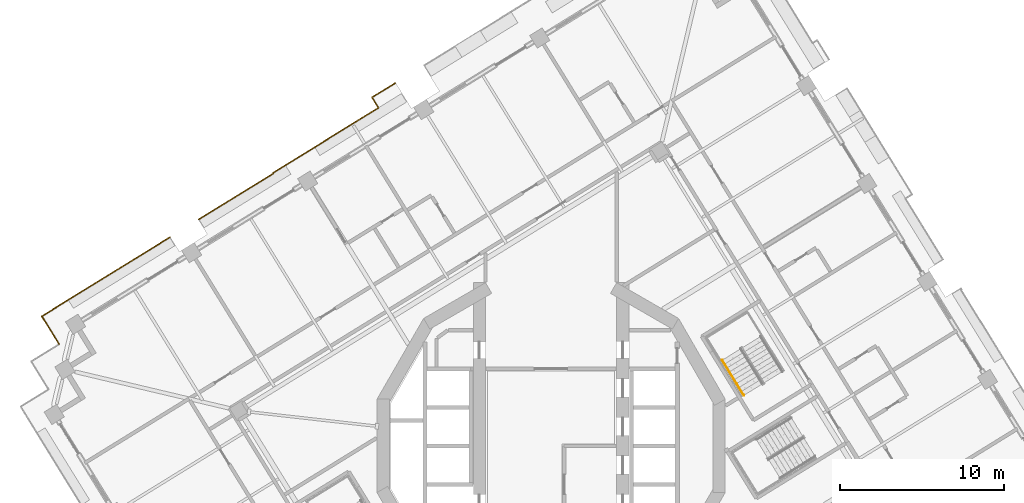
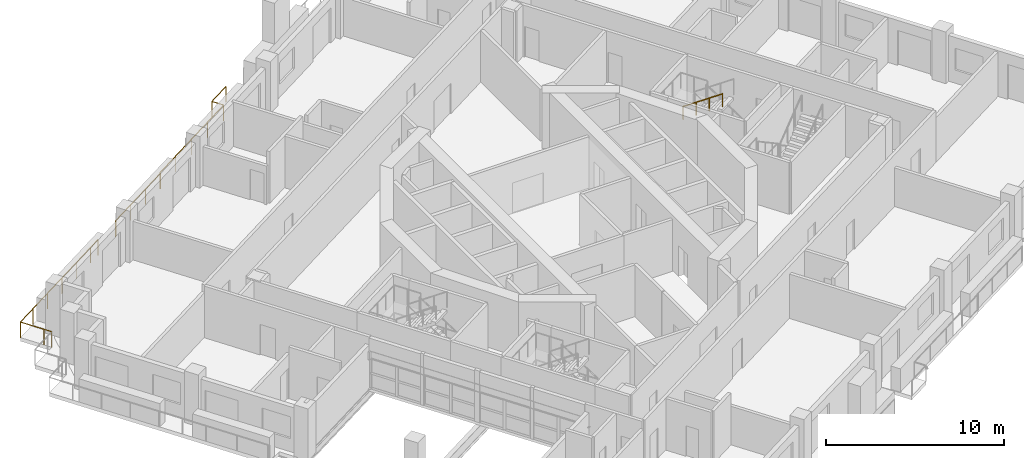
# One storey, part 19 of 22: 3 railings.
"""IFC4 building model written with IfcOpenShell, lengths in metres."""

from ifc_helpers import new_model, si_unit, direction, frame, origin, origin_2d, place, context, subcontext, project, spatial, circle, extrude, material, type_object, element, save


model = new_model("IFC4")

# Units and contexts
model_context = context("Model", 3, precision=1e-05, world=origin(), true_north=direction((0.0, 1.0)))
body_context = subcontext(model_context, "Body", "Model", "MODEL_VIEW")
ifc_project = project(units=[si_unit("LENGTHUNIT", "METRE"), si_unit("AREAUNIT", "SQUARE_METRE"), si_unit("VOLUMEUNIT", "CUBIC_METRE"), si_unit("PLANEANGLEUNIT", "RADIAN"), si_unit("MASSUNIT", "GRAM", prefix="KILO")], contexts=[model_context])

# Site, building, storey
site_placement = place(None, origin())
site = spatial("IfcSite", under=ifc_project, at=site_placement, CompositionType="ELEMENT")
building_placement = place(site_placement, origin())
building = spatial("IfcBuilding", under=site, at=building_placement, Name="Cantera Rosa Tower", CompositionType="ELEMENT")
storey_placement = place(building_placement, frame((0.0, 0.0, 166.60009765625)))
storey = spatial("IfcBuildingStorey", under=building, at=storey_placement, Name="L36", CompositionType="ELEMENT", Elevation=166.60009765625)

# Railings
ifc_material_1 = material(Name="Stainless steel and laminated glass", Category="steel")
railing_type_1 = type_object("IfcRailingType", Name="GUARD 1100", PredefinedType="BALUSTRADE", material=ifc_material_1)
railing_1_placement = place(storey_placement, frame((-30.03076171875, 6.208984375, 0.0)))
element("IfcRailing", 1, at=railing_1_placement, inside=storey, type_object=railing_type_1, Name="GUARD L36-3", PredefinedType="BALUSTRADE", context=body_context, shape_type="SweptSolid", body=[
    extrude(circle(Radius=0.030029296875, at=origin_2d()), frame((0.0, 0.0, 1.070068359375), z_axis=(-0.52494176933, 0.851138143202, 0.0), x_axis=(-0.851138143202, -0.52494176933, 0.0)), (0.0, 0.0, 1.0), 0.5),
    extrude(circle(Radius=0.030029296875, at=origin_2d()), frame((-0.262451171875, 0.425537109375, 1.070068359375), z_axis=(-0.524869051004, 0.85118298814, 0.0), x_axis=(-0.85118298814, -0.524869051004, 0.0)), (0.0, 0.0, 1.0), 1.5),
    extrude(circle(Radius=0.030029296875, at=origin_2d()), frame((-1.0498046875, 1.702392578125, 1.070068359375), z_axis=(0.851138143202, 0.52494176933, 0.0), x_axis=(-0.52494176933, 0.851138143202, 0.0)), (0.0, 0.0, 1.0), 1.5),
    extrude(circle(Radius=0.030029296875, at=origin_2d()), frame((0.226806640625, 2.48974609375, 1.070068359375), z_axis=(0.851120753703, 0.524969963537, 0.0), x_axis=(-0.524969963537, 0.851120753703, 0.0)), (0.0, 0.0, 1.0), 6.820068359375),
    extrude(circle(Radius=0.030029296875, at=origin_2d()), frame((6.031494140625, 6.070068359375, 1.070068359375), z_axis=(0.851089370259, 0.525020841331, 0.0), x_axis=(-0.525020841331, 0.851089370259, 0.0)), (0.0, 0.0, 1.0), 0.8701171875),
    extrude(circle(Radius=0.02490234375, at=origin_2d()), origin(), (0.0, 0.0, 1.0), 1.0400390625),
    extrude(circle(Radius=0.02490234375, at=origin_2d()), frame((-0.262451171875, 0.425537109375, 0.0)), (0.0, 0.0, 1.0), 1.0400390625),
    extrude(circle(Radius=0.02490234375, at=origin_2d()), frame((-1.0498046875, 1.702392578125, 0.0)), (0.0, 0.0, 1.0), 1.0400390625),
    extrude(circle(Radius=0.02490234375, at=origin_2d()), frame((0.226806640625, 2.48974609375, 0.0)), (0.0, 0.0, 1.0), 1.0400390625),
    extrude(circle(Radius=0.02490234375, at=origin_2d()), frame((1.677978515625, 3.384765625, 0.0)), (0.0, 0.0, 1.0), 1.0400390625),
    extrude(circle(Radius=0.02490234375, at=origin_2d()), frame((3.129150390625, 4.27978515625, 0.0)), (0.0, 0.0, 1.0), 1.0400390625),
    extrude(circle(Radius=0.02490234375, at=origin_2d()), frame((4.580322265625, 5.175048828125, 0.0)), (0.0, 0.0, 1.0), 1.0400390625),
    extrude(circle(Radius=0.02490234375, at=origin_2d()), frame((6.031494140625, 6.070068359375, 0.0)), (0.0, 0.0, 1.0), 1.0400390625),
    extrude(circle(Radius=0.02490234375, at=origin_2d()), frame((6.77197265625, 6.52685546875, 0.0)), (0.0, 0.0, 1.0), 1.0400390625),
])
railing_2_placement = place(storey_placement, frame((-21.505615234375, 13.817138671875, 0.0)))
element("IfcRailing", 2, at=railing_2_placement, inside=storey, type_object=railing_type_1, Name="GUARD L36-5", PredefinedType="BALUSTRADE", context=body_context, shape_type="SweptSolid", body=[
    extrude(circle(Radius=0.030029296875, at=origin_2d()), frame((0.0, 0.0, 1.070068359375), z_axis=(0.850339408664, 0.52623463405, 0.0), x_axis=(-0.52623463405, 0.850339408664, 0.0)), (0.0, 0.0, 1.0), 0.070068359375),
    extrude(circle(Radius=0.030029296875, at=origin_2d()), frame((0.0595703125, 0.036865234375, 1.070068359375), z_axis=(0.851116462586, 0.524976920555, 0.0), x_axis=(-0.524976920555, 0.851116462586, 0.0)), (0.0, 0.0, 1.0), 5.27978515625),
    extrude(circle(Radius=0.030029296875, at=origin_2d()), frame((4.55322265625, 2.80859375, 1.070068359375), z_axis=(-0.527815847616, 0.849358835243, 0.0), x_axis=(-0.849358835243, -0.527815847616, 0.0)), (0.0, 0.0, 1.0), 0.040283203125),
    extrude(circle(Radius=0.030029296875, at=origin_2d()), frame((4.531982421875, 2.8427734375, 1.070068359375), z_axis=(0.851125237565, 0.524962693893, 0.0), x_axis=(-0.524962693893, 0.851125237565, 0.0)), (0.0, 0.0, 1.0), 7.56982421875),
    extrude(circle(Radius=0.030029296875, at=origin_2d()), frame((10.974853515625, 6.816650390625, 1.070068359375), z_axis=(-0.525077247335, 0.851054571888, 0.0), x_axis=(-0.851054571888, -0.525077247335, 0.0)), (0.0, 0.0, 1.0), 0.75048828125),
    extrude(circle(Radius=0.030029296875, at=origin_2d()), frame((10.580810546875, 7.455322265625, 1.070068359375), z_axis=(0.851097514254, 0.525007639212, 0.0), x_axis=(-0.525007639212, 0.851097514254, 0.0)), (0.0, 0.0, 1.0), 1.66064453125),
    extrude(circle(Radius=0.02490234375, at=origin_2d()), origin(), (0.0, 0.0, 1.0), 1.0400390625),
    extrude(circle(Radius=0.02490234375, at=origin_2d()), frame((0.0595703125, 0.036865234375, 0.0)), (0.0, 0.0, 1.0), 1.0400390625),
    extrude(circle(Radius=0.02490234375, at=origin_2d()), frame((1.557373046875, 0.960693359375, 0.0)), (0.0, 0.0, 1.0), 1.0400390625),
    extrude(circle(Radius=0.02490234375, at=origin_2d()), frame((3.055419921875, 1.884765625, 0.0)), (0.0, 0.0, 1.0), 1.0400390625),
    extrude(circle(Radius=0.02490234375, at=origin_2d()), frame((4.55322265625, 2.80859375, 0.0)), (0.0, 0.0, 1.0), 1.0400390625),
    extrude(circle(Radius=0.02490234375, at=origin_2d()), frame((4.531982421875, 2.8427734375, 0.0)), (0.0, 0.0, 1.0), 1.0400390625),
    extrude(circle(Radius=0.02490234375, at=origin_2d()), frame((6.142578125, 3.836181640625, 0.0)), (0.0, 0.0, 1.0), 1.0400390625),
    extrude(circle(Radius=0.02490234375, at=origin_2d()), frame((7.75341796875, 4.82958984375, 0.0)), (0.0, 0.0, 1.0), 1.0400390625),
    extrude(circle(Radius=0.02490234375, at=origin_2d()), frame((9.3642578125, 5.8232421875, 0.0)), (0.0, 0.0, 1.0), 1.0400390625),
    extrude(circle(Radius=0.02490234375, at=origin_2d()), frame((10.974853515625, 6.816650390625, 0.0)), (0.0, 0.0, 1.0), 1.0400390625),
    extrude(circle(Radius=0.02490234375, at=origin_2d()), frame((10.580810546875, 7.455322265625, 0.0)), (0.0, 0.0, 1.0), 1.0400390625),
    extrude(circle(Radius=0.02490234375, at=origin_2d()), frame((11.994140625, 8.3271484375, 0.0)), (0.0, 0.0, 1.0), 1.0400390625),
])
ifc_material_2 = material(Name="Steel S355J2 (EN 10025-2)", Category="steel")
railing_type_2 = type_object("IfcRailingType", Name="STAIR HANDRAIL 900", PredefinedType="HANDRAIL", material=ifc_material_2)
railing_3_placement = place(storey_placement, frame((10.441650390625, 5.2314453125, 2.08984375)))
element("IfcRailing", 3, at=railing_3_placement, inside=storey, type_object=railing_type_2, Name="L36 ST-31 stair handrail 2", PredefinedType="HANDRAIL", context=body_context, shape_type="SweptSolid", body=[
    extrude(circle(Radius=0.02392578125, at=origin_2d()), frame((0.0, 0.0, 0.8759765625), z_axis=(0.434427613125, -0.704271375033, 0.561493080334), x_axis=(0.851102330005, 0.524999832248, 0.0)), (0.0, 0.0, 1.0), 3.04541015625),
    extrude(circle(Radius=0.02099609375, at=origin_2d()), origin(), (0.0, 0.0, 1.0), 0.851806640625),
    extrude(circle(Radius=0.02099609375, at=origin_2d()), frame((0.44091796875, -0.71484375, 0.570068359375)), (0.0, 0.0, 1.0), 0.851806640625),
    extrude(circle(Radius=0.02099609375, at=origin_2d()), frame((0.882080078125, -1.429931640625, 1.139892578125)), (0.0, 0.0, 1.0), 0.851806640625),
    extrude(circle(Radius=0.02099609375, at=origin_2d()), frame((1.322998046875, -2.144775390625, 1.7099609375)), (0.0, 0.0, 1.0), 0.851806640625),
])

save(model, "model.ifc")
